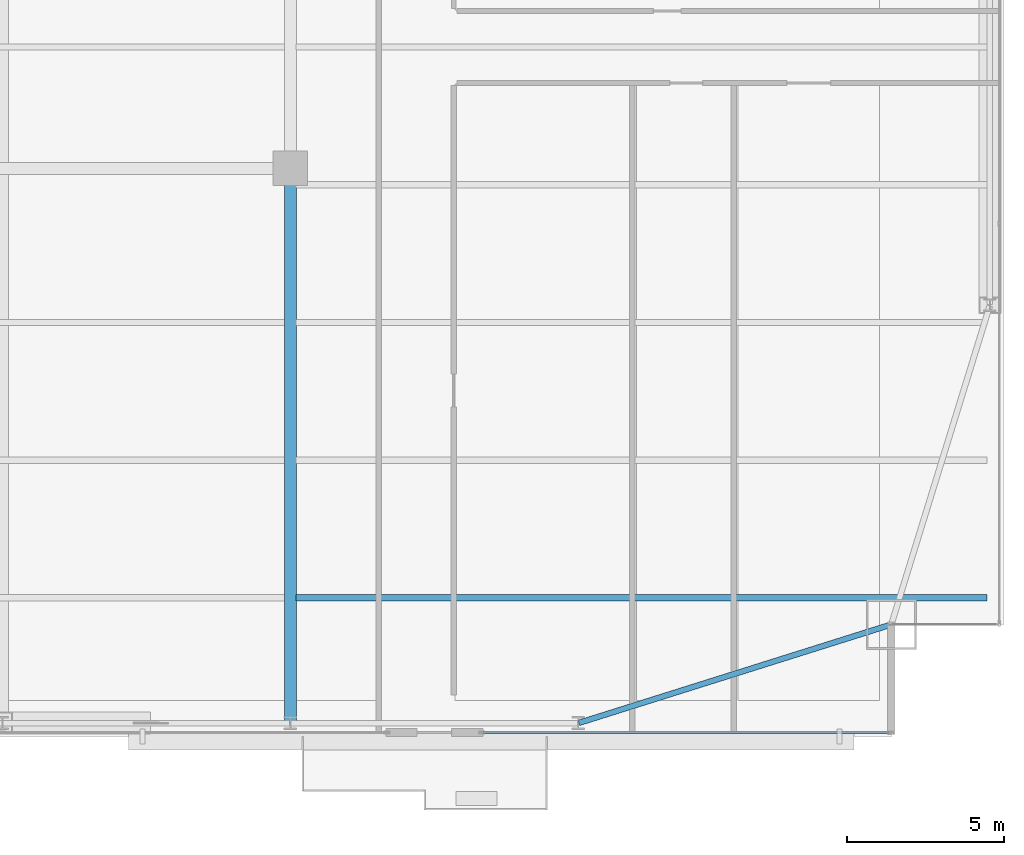
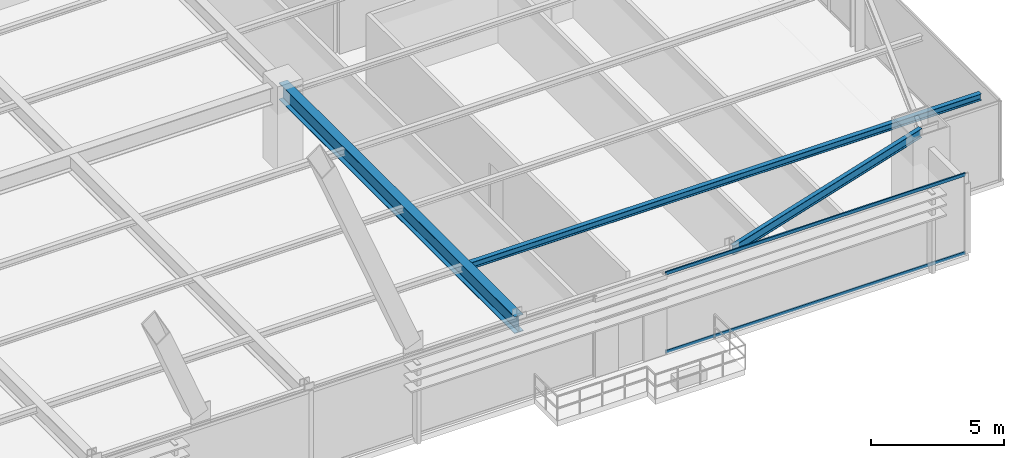
# One storey, part 14 of 35: 3 beams, 2 members, 1 element without a shape of its own.
"""IFC4 building model written with IfcOpenShell, lengths in metres."""

from ifc_helpers import new_model, si_unit, direction, frame, origin, origin_2d, place, context, subcontext, project, spatial, hollow_rectangle, i_section, extrude, source, transform, mapped, material, layer, layer_set, material_profile, profile_set, type_object, type_shapes, element, aggregate, save


model = new_model("IFC4")

# Units and contexts
model_context = context("Model", 3, precision=1e-05, world=origin(), true_north=direction((0.0, 1.0)))
body_context = subcontext(model_context, "Body", "Model", "MODEL_VIEW")
ifc_project = project(units=[si_unit("LENGTHUNIT", "METRE"), si_unit("AREAUNIT", "SQUARE_METRE"), si_unit("VOLUMEUNIT", "CUBIC_METRE"), si_unit("PLANEANGLEUNIT", "RADIAN"), si_unit("MASSUNIT", "GRAM", prefix="KILO")], contexts=[model_context])

# Site, building, storey
site_placement = place(None, origin())
site = spatial("IfcSite", under=ifc_project, at=site_placement, CompositionType="ELEMENT")
building_placement = place(site_placement, origin())
building = spatial("IfcBuilding", under=site, at=building_placement, Name="Varnel Quay Broadcast Tower", CompositionType="ELEMENT")
storey_placement = place(building_placement, frame((0.0, 0.0, 66.60009765625)))
storey = spatial("IfcBuildingStorey", under=building, at=storey_placement, Name="L15", CompositionType="ELEMENT", Elevation=66.60009765625)

# Beams
ifc_material_1 = material(Name="Structural Steel CSA G40.21 350W", Category="steel")
ifc_material_profile_1 = material_profile(ifc_material_1, i_section(OverallWidth=0.180908203125, OverallDepth=0.4169921875, WebThickness=0.010986328125, FlangeThickness=0.018310546875, FilletRadius=0.011962890625, at=origin_2d()), Name="W410X85")
ifc_profile_set_1 = profile_set([ifc_material_profile_1], Name="Structural Steel CSA G40.21 350W")
beam_type_1 = type_object("IfcBeamType", Name="Beam_W410X85", PredefinedType="SPANDREL", material=ifc_profile_set_1)
shared_shape_1 = source(origin(), body_context, "Body", "SweptSolid", [
    extrude(i_section(OverallWidth=0.180908203125, OverallDepth=0.4169921875, WebThickness=0.010986328125, FlangeThickness=0.018310546875, FilletRadius=0.011962890625, at=origin_2d()), origin(), (0.0, 0.0, 1.0), 10.444091796875),
])
type_shapes(beam_type_1, [shared_shape_1])
beam_1_placement = place(storey_placement, frame((52.419189453125, 1.656005859375, 3.44140625), z_axis=(0.953798277271, 0.300447743003, 0.0), x_axis=(-0.300447743003, 0.953798277271, 0.0)))
element("IfcBeam", 1, at=beam_1_placement, inside=storey, type_object=beam_type_1, Name="L15 South Spandrel TC-S5-MC-SE", PredefinedType="SPANDREL", context=body_context, shape_type="MappedRepresentation", body=[
    mapped(shared_shape_1, transform((0.0, 0.0, 0.0), x_axis=(1.0, 0.0, 0.0), y_axis=(0.0, 1.0, 0.0), z_axis=(0.0, 0.0, 1.0), scale=1.0)),
])
ifc_material_profile_2 = material_profile(ifc_material_1, i_section(OverallWidth=0.381103515625, OverallDepth=0.77294921875, WebThickness=0.0166015625, FlangeThickness=0.027587890625, FilletRadius=0.01806640625, at=origin_2d()), Name="W760X257")
ifc_profile_set_2 = profile_set([ifc_material_profile_2], Name="Structural Steel CSA G40.21 350W")
beam_type_2 = type_object("IfcBeamType", Name="Girder_W760X257", PredefinedType="BEAM", material=ifc_profile_set_2)
shared_shape_2 = source(origin(), body_context, "Body", "SweptSolid", [
    extrude(i_section(OverallWidth=0.381103515625, OverallDepth=0.77294921875, WebThickness=0.0166015625, FlangeThickness=0.027587890625, FilletRadius=0.01806640625, at=origin_2d()), origin(), (0.0, 0.0, 1.0), 17.68017578125),
])
type_shapes(beam_type_2, [shared_shape_2])
beam_2_placement = place(storey_placement, frame((43.199951171875, 1.669921875, 3.263427734375), z_axis=(0.0, 1.0, 0.0), x_axis=(-1.0, 0.0, 0.0)))
element("IfcBeam", 2, at=beam_2_placement, inside=storey, type_object=beam_type_2, Name="L15 Primary Girder TC-S4-IC-02", PredefinedType="BEAM", context=body_context, shape_type="MappedRepresentation", body=[
    mapped(shared_shape_2, transform((0.0, 0.0, 0.0), x_axis=(1.0, 0.0, 0.0), y_axis=(0.0, 1.0, 0.0), z_axis=(0.0, 0.0, 1.0), scale=1.0)),
])
ifc_material_profile_3 = material_profile(ifc_material_1, i_section(OverallWidth=0.202880859375, OverallDepth=0.302978515625, WebThickness=0.007568359375, FlangeThickness=0.01318359375, FilletRadius=0.011962890625, at=origin_2d()), Name="W310X60")
ifc_profile_set_3 = profile_set([ifc_material_profile_3], Name="Structural Steel CSA G40.21 350W")
beam_type_3 = type_object("IfcBeamType", Name="Beam_W310X60", PredefinedType="JOIST", material=ifc_profile_set_3)
shared_shape_3 = source(origin(), body_context, "Body", "SweptSolid", [
    extrude(i_section(OverallWidth=0.202880859375, OverallDepth=0.302978515625, WebThickness=0.007568359375, FlangeThickness=0.01318359375, FilletRadius=0.011962890625, at=origin_2d()), origin(), (0.0, 0.0, 1.0), 22.0791015625),
])
type_shapes(beam_type_3, [shared_shape_3])
beam_3_placement = place(storey_placement, frame((43.385498046875, 5.64990234375, 3.498291015625), z_axis=(1.0, 0.0, 0.0), x_axis=(0.0, 1.0, 0.0)))
element("IfcBeam", 3, at=beam_3_placement, inside=storey, type_object=beam_type_3, Name="L15 East Floor Joist 1", PredefinedType="JOIST", context=body_context, shape_type="MappedRepresentation", body=[
    mapped(shared_shape_3, transform((0.0, 0.0, 0.0), x_axis=(1.0, 0.0, 0.0), y_axis=(0.0, 1.0, 0.0), z_axis=(0.0, 0.0, 1.0), scale=1.0)),
])

# Curtain wall, members
ifc_material_2 = material(Name="Anodised Bronze Aluminium 6063-T6", Category="aluminium")
ifc_layer = layer(ifc_material_2, 0.18994140625, Name="Anodised Bronze Aluminium 6063-T6")
ifc_layer_set = layer_set([ifc_layer], Name="Anodised Bronze Aluminium 6063-T6")
curtain_wall_type = type_object("IfcCurtainWallType", Name="CW_LowerTower", PredefinedType="NOTDEFINED", material=ifc_layer_set)
curtain_wall_placement = place(storey_placement, origin())
curtain_wall = element("IfcCurtainWall", 4, at=curtain_wall_placement, inside=storey, type_object=curtain_wall_type, Name="L15 South Unitised Curtain Wall 3", PredefinedType="NOTDEFINED")
ifc_material_profile_4 = material_profile(ifc_material_2, hollow_rectangle(XDim=0.06005859375, YDim=0.14501953125, WallThickness=0.00341796875, at=origin_2d()), Name="ALU60X145X3.5")
ifc_profile_set_4 = profile_set([ifc_material_profile_4], Name="Anodised Bronze Aluminium 6063-T6")
member_type = type_object("IfcMemberType", Name="Tran_CWS-02", PredefinedType="USERDEFINED", material=ifc_profile_set_4)
shared_shape_4 = source(origin(), body_context, "Body", "SweptSolid", [
    extrude(hollow_rectangle(XDim=0.06005859375, YDim=0.14501953125, WallThickness=0.00341796875, at=origin_2d()), origin(), (0.0, 0.0, 1.0), 12.97998046875),
])
type_shapes(member_type, [shared_shape_4])
member_1_placement = place(storey_placement, frame((49.35009765625, 1.35009765625, 0.02978515625), z_axis=(1.0, 0.0, 0.0), x_axis=(0.0, 1.0, 0.0)))
member_1 = element("IfcMember", 5, at=member_1_placement, type_object=member_type, Name="CWS-02 transom 1.1", ObjectType="TRANSOM", PredefinedType="USERDEFINED", context=body_context, shape_type="MappedRepresentation", body=[
    mapped(shared_shape_4, transform((0.0, 0.0, 0.0), x_axis=(1.0, 0.0, 0.0), y_axis=(0.0, 1.0, 0.0), z_axis=(0.0, 0.0, 1.0), scale=1.0)),
])
member_2_placement = place(storey_placement, frame((49.35009765625, 1.35009765625, 3.619873046875), z_axis=(1.0, 0.0, 0.0), x_axis=(0.0, 1.0, 0.0)))
member_2 = element("IfcMember", 6, at=member_2_placement, type_object=member_type, Name="CWS-02 transom 1.2", ObjectType="TRANSOM", PredefinedType="USERDEFINED", context=body_context, shape_type="MappedRepresentation", body=[
    mapped(shared_shape_4, transform((0.0, 0.0, 0.0), x_axis=(1.0, 0.0, 0.0), y_axis=(0.0, 1.0, 0.0), z_axis=(0.0, 0.0, 1.0), scale=1.0)),
])
aggregate(curtain_wall, [member_1, member_2])

save(model, "model.ifc")
